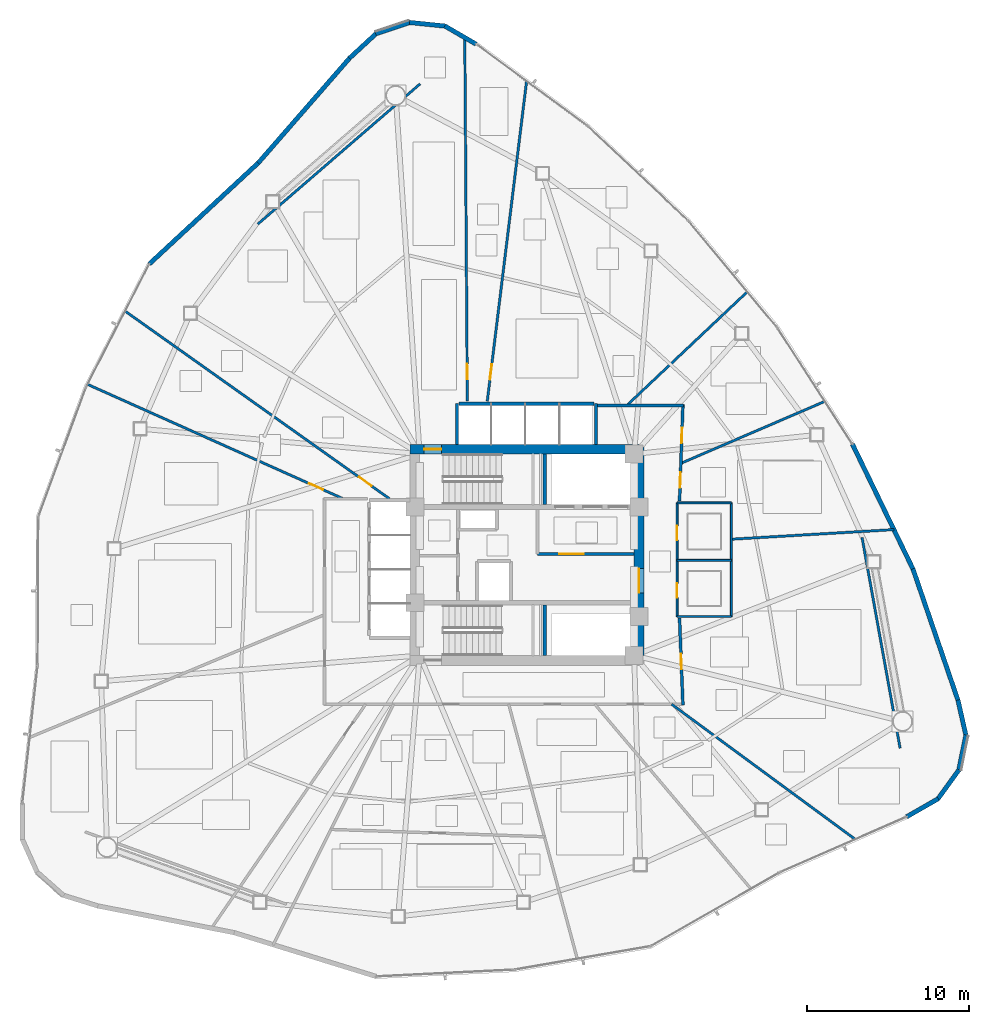
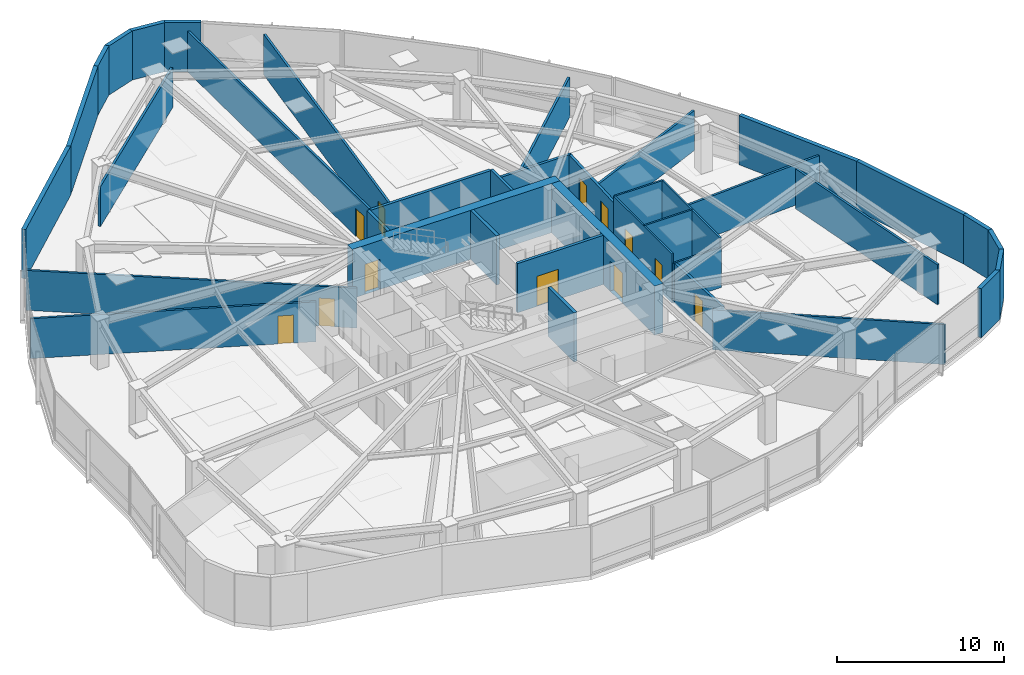
# One storey, part 13 of 18: 38 walls, 12 doors, 12 openings.
"""IFC4 building model written with IfcOpenShell, lengths in metres."""

from ifc_helpers import new_model, si_unit, direction, frame, frame_2d, origin, place, context, subcontext, project, spatial, rectangle, extrude, material, layer, layer_set, type_object, element, fill, save


model = new_model("IFC4")

# Units and contexts
model_context = context("Model", 3, precision=1e-05, world=origin(), true_north=direction((0.0, 1.0)))
body_context = subcontext(model_context, "Body", "Model", "MODEL_VIEW")
ifc_project = project(units=[si_unit("LENGTHUNIT", "METRE"), si_unit("AREAUNIT", "SQUARE_METRE"), si_unit("VOLUMEUNIT", "CUBIC_METRE"), si_unit("PLANEANGLEUNIT", "RADIAN"), si_unit("MASSUNIT", "GRAM", prefix="KILO")], contexts=[model_context])

# Site, building, storey
site_placement = place(None, origin())
site = spatial("IfcSite", under=ifc_project, at=site_placement, CompositionType="ELEMENT")
building_placement = place(site_placement, origin())
building = spatial("IfcBuilding", under=site, at=building_placement, Name="Tavelor Broadcast Tower", CompositionType="ELEMENT")
storey_placement = place(building_placement, frame((0.0, 0.0, 51.0)))
storey = spatial("IfcBuildingStorey", under=building, at=storey_placement, Name="L11", CompositionType="ELEMENT", Elevation=51.0)

# Wall, opening, door
ifc_material_1 = material(Name="Concrete C60/75", Category="concrete")
ifc_layer_1 = layer(ifc_material_1, 0.60009765625)
ifc_layer_set_1 = layer_set([ifc_layer_1], Name="Concrete C60/75")
wall_type_1 = type_object("IfcWallType", Name="Core Shear Wall 600 mm", PredefinedType="SHEAR", material=ifc_layer_set_1)
wall_1_placement = place(storey_placement, frame((42.800048828125, 51.5, 0.0), z_axis=(0.0, 0.0, 1.0), x_axis=(1.0, 0.0, 0.0)))
wall_1 = element("IfcWall", 1, at=wall_1_placement, inside=storey, type_object=wall_type_1, Name="L11 Central Core Shear Wall N", PredefinedType="SHEAR", context=body_context, shape_type="SweptSolid", body=[
    extrude(rectangle(XDim=14.39990234375, YDim=0.60009765625, at=frame_2d((7.199951171875, 0.0))), origin(), (0.0, 0.0, 1.0), 3.60009765625),
])
opening_1_placement = place(wall_1_placement, frame((0.8798828125, 0.0, 0.0)))
opening_1 = element("IfcOpeningElement", 2, at=opening_1_placement, cuts=wall_1, Name="Opening DR11", PredefinedType="OPENING", context=body_context, shape_type="SweptSolid", body=[
    extrude(rectangle(XDim=1.050048828125, YDim=2.199951171875, at=frame_2d((0.52490234375, 1.10009765625))), frame((0.0, 0.31005859375, 0.0), z_axis=(0.0, -1.0, 0.0), x_axis=(1.0, 0.0, 0.0)), (0.0, 0.0, 1.0), 0.6201171875),
])
ifc_material_2 = material(Name="Steel S355", Category="steel")
door_type_1 = type_object("IfcDoorType", Name="Stair Core Fire Escape Door 1050x2200", OperationType="NOTDEFINED", PredefinedType="DOOR", material=ifc_material_2)
door_1_placement = place(opening_1_placement, origin())
door_1 = element("IfcDoor", 3, at=door_1_placement, inside=storey, type_object=door_type_1, Name="L11 Stair ST1 Protected Exit Door", OperationType="SINGLE_SWING_LEFT", OverallHeight=2.199951171875, OverallWidth=1.050048828125, PredefinedType="DOOR", context=body_context, shape_type="SweptSolid", body=[
    extrude(rectangle(XDim=1.050048828125, YDim=2.199951171875, at=frame_2d((0.52490234375, 1.10009765625))), frame((0.0, 0.02490234375, 0.0), z_axis=(0.0, -1.0, 0.0), x_axis=(1.0, 0.0, 0.0)), (0.0, 0.0, 1.0), 0.050048828125),
])
fill(opening_1, door_1)

wall_2_placement = place(storey_placement, frame((56.89990234375, 38.800048828125, 0.0), z_axis=(0.0, 0.0, 1.0), x_axis=(0.0, 1.0, 0.0)))
wall_2 = element("IfcWall", 4, at=wall_2_placement, inside=storey, type_object=wall_type_1, Name="L11 Central Core Shear Wall E", PredefinedType="SHEAR", context=body_context, shape_type="SweptSolid", body=[
    extrude(rectangle(XDim=12.39990234375, YDim=0.60009765625, at=frame_2d((6.199951171875, 0.0))), origin(), (0.0, 0.0, 1.0), 3.60009765625),
])
opening_2_placement = place(wall_2_placement, frame((3.85009765625, 0.0, 0.0)))
opening_2 = element("IfcOpeningElement", 5, at=opening_2_placement, cuts=wall_2, Name="Opening DR14", PredefinedType="OPENING", context=body_context, shape_type="SweptSolid", body=[
    extrude(rectangle(XDim=1.5, YDim=2.199951171875, at=frame_2d((0.75, 1.10009765625))), frame((0.0, 0.31005859375, 0.0), z_axis=(0.0, -1.0, 0.0), x_axis=(1.0, 0.0, 0.0)), (0.0, 0.0, 1.0), 0.6201171875),
])
door_type_2 = type_object("IfcDoorType", Name="Firefighting Lobby Double Fire Door 1500x2200", OperationType="NOTDEFINED", PredefinedType="DOOR", material=ifc_material_2)
door_2_placement = place(opening_2_placement, origin())
door_2 = element("IfcDoor", 6, at=door_2_placement, inside=storey, type_object=door_type_2, Name="L11 Central Core Lobby Fire Door", OperationType="SINGLE_SWING_RIGHT", OverallHeight=2.199951171875, OverallWidth=1.5, PredefinedType="DOOR", context=body_context, shape_type="SweptSolid", body=[
    extrude(rectangle(XDim=1.5, YDim=2.199951171875, at=frame_2d((0.75, 1.10009765625))), frame((0.0, 0.02490234375, 0.0), z_axis=(0.0, -1.0, 0.0), x_axis=(1.0, 0.0, 0.0)), (0.0, 0.0, 1.0), 0.050048828125),
])
fill(opening_2, door_2)

# Wall
ifc_material_3 = material(Name="Calcium Silicate Fire Board 180 mm", Category="gypsum")
ifc_layer_2 = layer(ifc_material_3, 0.179931640625)
ifc_layer_set_2 = layer_set([ifc_layer_2], Name="Calcium Silicate Fire Board 180 mm")
wall_type_2 = type_object("IfcWallType", Name="Fire-Rated Corridor Partition Wall 180 mm", PredefinedType="PARTITIONING", material=ifc_layer_set_2)
wall_3_placement = place(storey_placement, frame((54.300048828125, 54.199951171875, 0.0), z_axis=(0.0, 0.0, 1.0), x_axis=(1.0, 0.0, 0.0)))
element("IfcWall", 7, at=wall_3_placement, inside=storey, type_object=wall_type_2, Name="L11 Corridor Compartment Wall 01", PredefinedType="PARTITIONING", context=body_context, shape_type="SweptSolid", body=[
    extrude(rectangle(XDim=5.349853515625, YDim=0.179931640625, at=frame_2d((2.6748046875, 0.0))), origin(), (0.0, 0.0, 1.0), 2.925048828125),
])

# Wall, openings, doors
wall_4_placement = place(storey_placement, frame((59.601806640625, 54.25, 0.0), z_axis=(0.0, 0.0, 1.0), x_axis=(-0.035265891834, -0.999377964973, 0.0)))
wall_4 = element("IfcWall", 8, at=wall_4_placement, inside=storey, type_object=wall_type_2, Name="L11 Corridor Compartment Wall 02", PredefinedType="PARTITIONING", context=body_context, shape_type="SweptSolid", body=[
    extrude(rectangle(XDim=5.95361328125, YDim=0.179931640625, at=frame_2d((2.976806640625, 0.0))), origin(), (0.0, 0.0, 1.0), 2.925048828125),
])
opening_3_placement = place(wall_4_placement, frame((1.42578125, 0.0, 0.0)))
opening_3 = element("IfcOpeningElement", 9, at=opening_3_placement, cuts=wall_4, Name="Opening DR18", PredefinedType="OPENING", context=body_context, shape_type="SweptSolid", body=[
    extrude(rectangle(XDim=0.949951171875, YDim=2.050048828125, at=frame_2d((0.47509765625, 1.02490234375))), frame((0.0, 0.10009765625, 0.0), z_axis=(0.0, -1.0, 0.0), x_axis=(1.0, 0.0, 0.0)), (0.0, 0.0, 1.0), 0.199951171875),
])
opening_4_placement = place(wall_4_placement, frame((4.176025390625, 0.0, 0.0)))
opening_4 = element("IfcOpeningElement", 10, at=opening_4_placement, cuts=wall_4, Name="Opening DR18", PredefinedType="OPENING", context=body_context, shape_type="SweptSolid", body=[
    extrude(rectangle(XDim=0.949951171875, YDim=2.050048828125, at=frame_2d((0.47509765625, 1.02490234375))), frame((0.0, 0.10009765625, 0.0), z_axis=(0.0, -1.0, 0.0), x_axis=(1.0, 0.0, 0.0)), (0.0, 0.0, 1.0), 0.199951171875),
])
ifc_material_4 = material(Name="Timber Solid Core Hardwood", Category="wood")
door_type_3 = type_object("IfcDoorType", Name="Corridor Rated Compartment Door 950x2050", OperationType="NOTDEFINED", PredefinedType="DOOR", material=ifc_material_4)
door_3_placement = place(opening_3_placement, origin())
door_3 = element("IfcDoor", 11, at=door_3_placement, inside=storey, type_object=door_type_3, Name="L11 Talent Concierge Desk Door R8", OperationType="SINGLE_SWING_RIGHT", OverallHeight=2.050048828125, OverallWidth=0.949951171875, PredefinedType="DOOR", context=body_context, shape_type="SweptSolid", body=[
    extrude(rectangle(XDim=0.949951171875, YDim=2.050048828125, at=frame_2d((0.47509765625, 1.02490234375))), frame((0.0, 0.02490234375, 0.0), z_axis=(0.0, -1.0, 0.0), x_axis=(1.0, 0.0, 0.0)), (0.0, 0.0, 1.0), 0.050048828125),
])
fill(opening_3, door_3)
door_4_placement = place(opening_4_placement, origin())
door_4 = element("IfcDoor", 12, at=door_4_placement, inside=storey, type_object=door_type_3, Name="L11 Master Control Room Door R9", OperationType="SINGLE_SWING_LEFT", OverallHeight=2.050048828125, OverallWidth=0.949951171875, PredefinedType="DOOR", context=body_context, shape_type="SweptSolid", body=[
    extrude(rectangle(XDim=0.949951171875, YDim=2.050048828125, at=frame_2d((0.47509765625, 1.02490234375))), frame((0.0, 0.02490234375, 0.0), z_axis=(0.0, -1.0, 0.0), x_axis=(1.0, 0.0, 0.0)), (0.0, 0.0, 1.0), 0.050048828125),
])
fill(opening_4, door_4)

# Wall, opening, door
wall_5_placement = place(storey_placement, frame((59.39208984375, 41.10009765625, 0.0), z_axis=(0.0, 0.0, 1.0), x_axis=(0.03921413315, -0.999230830069, 0.0)))
wall_5 = element("IfcWall", 13, at=wall_5_placement, inside=storey, type_object=wall_type_2, Name="L11 Corridor Compartment Wall 03", PredefinedType="PARTITIONING", context=body_context, shape_type="SweptSolid", body=[
    extrude(rectangle(XDim=5.354248046875, YDim=0.179931640625, at=frame_2d((2.67724609375, 0.0))), origin(), (0.0, 0.0, 1.0), 2.925048828125),
])
opening_5_placement = place(wall_5_placement, frame((2.201904296875, 0.0, 0.0)))
opening_5 = element("IfcOpeningElement", 14, at=opening_5_placement, cuts=wall_5, Name="Opening DR18", PredefinedType="OPENING", context=body_context, shape_type="SweptSolid", body=[
    extrude(rectangle(XDim=0.949951171875, YDim=2.050048828125, at=frame_2d((0.47509765625, 1.02490234375))), frame((0.0, 0.10009765625, 0.0), z_axis=(0.0, -1.0, 0.0), x_axis=(1.0, 0.0, 0.0)), (0.0, 0.0, 1.0), 0.199951171875),
])
door_5_placement = place(opening_5_placement, origin())
door_5 = element("IfcDoor", 15, at=door_5_placement, inside=storey, type_object=door_type_3, Name="L11 Investigative News Desk Door R10", OperationType="SINGLE_SWING_RIGHT", OverallHeight=2.050048828125, OverallWidth=0.949951171875, PredefinedType="DOOR", context=body_context, shape_type="SweptSolid", body=[
    extrude(rectangle(XDim=0.949951171875, YDim=2.050048828125, at=frame_2d((0.47509765625, 1.02490234375))), frame((0.0, 0.02490234375, 0.0), z_axis=(0.0, -1.0, 0.0), x_axis=(1.0, 0.0, 0.0)), (0.0, 0.0, 1.0), 0.050048828125),
])
fill(opening_5, door_5)

# Walls
ifc_material_5 = material(Name="Precast Concrete C40/50", Category="concrete")
ifc_layer_3 = layer(ifc_material_5, 0.280029296875)
ifc_layer_set_3 = layer_set([ifc_layer_3], Name="Precast Concrete C40/50")
wall_type_3 = type_object("IfcWallType", Name="Insulated Precast Terracotta Facade Wall 280 mm", PredefinedType="STANDARD", material=ifc_layer_set_3)
wall_6_placement = place(storey_placement, frame((46.870849609375, 76.4296875, 0.0), z_axis=(0.0, 0.0, 1.0), x_axis=(-0.86470757028, 0.502275639366, 0.0)))
element("IfcWall", 16, at=wall_6_placement, inside=storey, type_object=wall_type_3, Name="L11 Rounded Corner Structural Cladding Pier 01", PredefinedType="STANDARD", context=body_context, shape_type="SweptSolid", body=[
    extrude(rectangle(XDim=2.2275390625, YDim=0.280029296875, at=frame_2d((1.11376953125, 0.0))), origin(), (0.0, 0.0, 1.0), 3.60009765625),
])
wall_7_placement = place(storey_placement, frame((44.972412109375, 77.539794921875, 0.0), z_axis=(0.0, 0.0, 1.0), x_axis=(-0.994794332276, 0.101903073904, 0.0)))
element("IfcWall", 17, at=wall_7_placement, inside=storey, type_object=wall_type_3, Name="L11 Rounded Corner Structural Cladding Pier 02", PredefinedType="STANDARD", context=body_context, shape_type="SweptSolid", body=[
    extrude(rectangle(XDim=2.216064453125, YDim=0.280029296875, at=frame_2d((1.10791015625, 0.0))), origin(), (0.0, 0.0, 1.0), 3.60009765625),
])
wall_8_placement = place(storey_placement, frame((42.797119140625, 77.768798828125, 0.0), z_axis=(0.0, 0.0, 1.0), x_axis=(-0.948595132525, -0.316492139791, 0.0)))
element("IfcWall", 18, at=wall_8_placement, inside=storey, type_object=wall_type_3, Name="L11 Rounded Corner Structural Cladding Pier 03", PredefinedType="STANDARD", context=body_context, shape_type="SweptSolid", body=[
    extrude(rectangle(XDim=2.21630859375, YDim=0.280029296875, at=frame_2d((1.108154296875, 0.0))), origin(), (0.0, 0.0, 1.0), 3.60009765625),
])
wall_9_placement = place(storey_placement, frame((40.72021484375, 77.082275390625, 0.0), z_axis=(0.0, 0.0, 1.0), x_axis=(-0.734368471989, -0.678751020145, 0.0)))
element("IfcWall", 19, at=wall_9_placement, inside=storey, type_object=wall_type_3, Name="L11 Rounded Corner Structural Cladding Pier 04", PredefinedType="STANDARD", context=body_context, shape_type="SweptSolid", body=[
    extrude(rectangle(XDim=2.23876953125, YDim=0.280029296875, at=frame_2d((1.119384765625, 0.0))), origin(), (0.0, 0.0, 1.0), 3.60009765625),
])
wall_10_placement = place(storey_placement, frame((39.096923828125, 75.584228515625, 0.0), z_axis=(0.0, 0.0, 1.0), x_axis=(-0.657063068244, -0.753835608306, 0.0)))
element("IfcWall", 20, at=wall_10_placement, inside=storey, type_object=wall_type_3, Name="L11 Rounded Corner Structural Cladding Pier 05", PredefinedType="STANDARD", context=body_context, shape_type="SweptSolid", body=[
    extrude(rectangle(XDim=8.580078125, YDim=0.280029296875, at=frame_2d((4.2900390625, 0.0))), origin(), (0.0, 0.0, 1.0), 3.60009765625),
])
wall_11_placement = place(storey_placement, frame((33.480224609375, 69.1376953125, 0.0), z_axis=(0.0, 0.0, 1.0), x_axis=(-0.733106400335, -0.680113965294, 0.0)))
element("IfcWall", 21, at=wall_11_placement, inside=storey, type_object=wall_type_3, Name="L11 Rounded Corner Structural Cladding Pier 06", PredefinedType="STANDARD", context=body_context, shape_type="SweptSolid", body=[
    extrude(rectangle(XDim=9.168212890625, YDim=0.280029296875, at=frame_2d((4.583984375, 0.0))), origin(), (0.0, 0.0, 1.0), 3.60009765625),
])
wall_12_placement = place(storey_placement, frame((73.383544921875, 28.877197265625, 0.0), z_axis=(0.0, 0.0, 1.0), x_axis=(0.867338075625, 0.497719461717, 0.0)))
element("IfcWall", 22, at=wall_12_placement, inside=storey, type_object=wall_type_3, Name="L11 Rounded Corner Structural Cladding Pier 21", PredefinedType="STANDARD", context=body_context, shape_type="SweptSolid", body=[
    extrude(rectangle(XDim=2.22802734375, YDim=0.280029296875, at=frame_2d((1.114013671875, 0.0))), origin(), (0.0, 0.0, 1.0), 3.60009765625),
])
for number, where, z_axis, x_axis, name in (
    (23, (75.2939453125, 29.966552734375, 0.0), (0.0, 0.0, 1.0), (0.58567959745, 0.810542663363, 0.0), "L11 Rounded Corner Structural Cladding Pier 22"),
    (24, (76.580078125, 31.73583984375, 0.0), (0.0, 0.0, 1.0), (0.200182332939, 0.979758660885, 0.0), "L11 Rounded Corner Structural Cladding Pier 23"),
):
    element("IfcWall", number, at=place(storey_placement, frame(where, z_axis=z_axis, x_axis=x_axis)), inside=storey, type_object=wall_type_3, Name=name, PredefinedType="STANDARD", context=body_context, shape_type="SweptSolid", body=[
        extrude(rectangle(XDim=2.216064453125, YDim=0.280029296875, at=frame_2d((1.10791015625, 0.0))), origin(), (0.0, 0.0, 1.0), 3.60009765625),
    ])
wall_13_placement = place(storey_placement, frame((77.024169921875, 33.877685546875, 0.0), z_axis=(0.0, 0.0, 1.0), x_axis=(-0.220716047847, 0.975338108669, 0.0)))
element("IfcWall", 25, at=wall_13_placement, inside=storey, type_object=wall_type_3, Name="L11 Rounded Corner Structural Cladding Pier 24", PredefinedType="STANDARD", context=body_context, shape_type="SweptSolid", body=[
    extrude(rectangle(XDim=2.23876953125, YDim=0.280029296875, at=frame_2d((1.119384765625, 0.0))), origin(), (0.0, 0.0, 1.0), 3.60009765625),
])
wall_14_placement = place(storey_placement, frame((76.5380859375, 36.0322265625, 0.0), z_axis=(0.0, 0.0, 1.0), x_axis=(-0.324289341757, 0.945957939246, 0.0)))
element("IfcWall", 26, at=wall_14_placement, inside=storey, type_object=wall_type_3, Name="L11 Rounded Corner Structural Cladding Pier 25", PredefinedType="STANDARD", context=body_context, shape_type="SweptSolid", body=[
    extrude(rectangle(XDim=8.564453125, YDim=0.280029296875, at=frame_2d((4.2822265625, 0.0))), origin(), (0.0, 0.0, 1.0), 3.60009765625),
])
wall_15_placement = place(storey_placement, frame((73.772216796875, 44.106201171875, 0.0), z_axis=(0.0, 0.0, 1.0), x_axis=(-0.436413579007, 0.899746179796, 0.0)))
element("IfcWall", 27, at=wall_15_placement, inside=storey, type_object=wall_type_3, Name="L11 Rounded Corner Structural Cladding Pier 26", PredefinedType="STANDARD", context=body_context, shape_type="SweptSolid", body=[
    extrude(rectangle(XDim=8.552490234375, YDim=0.280029296875, at=frame_2d((4.2763671875, 0.0))), origin(), (0.0, 0.0, 1.0), 3.60009765625),
])
ifc_material_6 = material(Name="Gypsum Acoustic Plasterboard 150 mm", Category="gypsum")
ifc_layer_4 = layer(ifc_material_6, 0.14990234375)
ifc_layer_set_4 = layer_set([ifc_layer_4], Name="Gypsum Acoustic Plasterboard 150 mm")
wall_type_4 = type_object("IfcWallType", Name="Interior Acoustic Partition Wall 150 mm", PredefinedType="PARTITIONING", material=ifc_layer_set_4)
wall_16_placement = place(storey_placement, frame((43.42138671875, 73.9794921875, 0.0), z_axis=(0.0, 0.0, 1.0), x_axis=(-0.756659135409, -0.653809569218, 0.0)))
element("IfcWall", 28, at=wall_16_placement, inside=storey, type_object=wall_type_4, Name="L11 Corner Tube Brace Furring Wall 1", PredefinedType="PARTITIONING", context=body_context, shape_type="SweptSolid", body=[
    extrude(rectangle(XDim=13.200439453125, YDim=0.14990234375, at=frame_2d((6.60009765625, 0.0))), origin(), (0.0, 0.0, 1.0), 2.925048828125),
])
wall_17_placement = place(storey_placement, frame((72.96923828125, 33.09130859375, 0.0), z_axis=(0.0, 0.0, 1.0), x_axis=(-0.177742578179, 0.984077017261, 0.0)))
element("IfcWall", 29, at=wall_17_placement, inside=storey, type_object=wall_type_4, Name="L11 Corner Tube Brace Furring Wall 3", PredefinedType="PARTITIONING", context=body_context, shape_type="SweptSolid", body=[
    extrude(rectangle(XDim=13.179443359375, YDim=0.14990234375, at=frame_2d((6.58984375, 0.0))), origin(), (0.0, 0.0, 1.0), 2.925048828125),
])

# Wall, opening, door
wall_18_placement = place(storey_placement, frame((47.560302734375, 54.449951171875, 0.0), z_axis=(0.0, 0.0, 1.0), x_axis=(0.12187323667, 0.992545673601, 0.0)))
wall_18 = element("IfcWall", 30, at=wall_18_placement, inside=storey, type_object=wall_type_4, Name="L11 Radial Compartment Wall 01", PredefinedType="PARTITIONING", context=body_context, shape_type="SweptSolid", body=[
    extrude(rectangle(XDim=19.85400390625, YDim=0.14990234375, at=frame_2d((9.927001953125, 0.0))), origin(), (0.0, 0.0, 1.0), 2.97509765625),
])
opening_6_placement = place(wall_18_placement, frame((1.35009765625, 0.0, 0.0)))
opening_6 = element("IfcOpeningElement", 31, at=opening_6_placement, cuts=wall_18, Name="Opening DR18", PredefinedType="OPENING", context=body_context, shape_type="SweptSolid", body=[
    extrude(rectangle(XDim=0.949951171875, YDim=2.050048828125, at=frame_2d((0.47509765625, 1.02490234375))), frame((0.0, 0.0849609375, 0.0), z_axis=(0.0, -1.0, 0.0), x_axis=(1.0, 0.0, 0.0)), (0.0, 0.0, 1.0), 0.169921875),
])
door_6_placement = place(opening_6_placement, origin())
door_6 = element("IfcDoor", 32, at=door_6_placement, inside=storey, type_object=door_type_3, Name="L11 Suite Connecting Door 7", OperationType="SINGLE_SWING_RIGHT", OverallHeight=2.050048828125, OverallWidth=0.949951171875, PredefinedType="DOOR", context=body_context, shape_type="SweptSolid", body=[
    extrude(rectangle(XDim=0.949951171875, YDim=2.050048828125, at=frame_2d((0.47509765625, 1.02490234375))), frame((0.0, 0.02490234375, 0.0), z_axis=(0.0, -1.0, 0.0), x_axis=(1.0, 0.0, 0.0)), (0.0, 0.0, 1.0), 0.050048828125),
])
fill(opening_6, door_6)

wall_19_placement = place(storey_placement, frame((46.3330078125, 54.449951171875, 0.0), z_axis=(0.0, 0.0, 1.0), x_axis=(-0.007063802918, 0.999975051033, 0.0)))
wall_19 = element("IfcWall", 33, at=wall_19_placement, inside=storey, type_object=wall_type_4, Name="L11 Radial Compartment Wall 02", PredefinedType="PARTITIONING", context=body_context, shape_type="SweptSolid", body=[
    extrude(rectangle(XDim=22.396240234375, YDim=0.14990234375, at=frame_2d((11.1982421875, 0.0))), origin(), (0.0, 0.0, 1.0), 2.97509765625),
])
opening_7_placement = place(wall_19_placement, frame((1.35009765625, 0.0, 0.0)))
opening_7 = element("IfcOpeningElement", 34, at=opening_7_placement, cuts=wall_19, Name="Opening DR18", PredefinedType="OPENING", context=body_context, shape_type="SweptSolid", body=[
    extrude(rectangle(XDim=0.949951171875, YDim=2.050048828125, at=frame_2d((0.47509765625, 1.02490234375))), frame((0.0, 0.0849609375, 0.0), z_axis=(0.0, -1.0, 0.0), x_axis=(1.0, 0.0, 0.0)), (0.0, 0.0, 1.0), 0.169921875),
])
door_7_placement = place(opening_7_placement, origin())
door_7 = element("IfcDoor", 35, at=door_7_placement, inside=storey, type_object=door_type_3, Name="L11 Suite Connecting Door 6", OperationType="SINGLE_SWING_LEFT", OverallHeight=2.050048828125, OverallWidth=0.949951171875, PredefinedType="DOOR", context=body_context, shape_type="SweptSolid", body=[
    extrude(rectangle(XDim=0.949951171875, YDim=2.050048828125, at=frame_2d((0.47509765625, 1.02490234375))), frame((0.0, 0.02490234375, 0.0), z_axis=(0.0, -1.0, 0.0), x_axis=(1.0, 0.0, 0.0)), (0.0, 0.0, 1.0), 0.050048828125),
])
fill(opening_7, door_7)

wall_20_placement = place(storey_placement, frame((41.53857421875, 48.449951171875, 0.0), z_axis=(0.0, 0.0, 1.0), x_axis=(-0.81551552438, 0.578735198079, 0.0)))
wall_20 = element("IfcWall", 36, at=wall_20_placement, inside=storey, type_object=wall_type_4, Name="L11 Radial Compartment Wall 03", PredefinedType="PARTITIONING", context=body_context, shape_type="SweptSolid", body=[
    extrude(rectangle(XDim=19.960693359375, YDim=0.14990234375, at=frame_2d((9.98046875, 0.0))), origin(), (0.0, 0.0, 1.0), 2.925048828125),
])
opening_8_placement = place(wall_20_placement, frame((1.35009765625, 0.0, 0.0)))
opening_8 = element("IfcOpeningElement", 37, at=opening_8_placement, cuts=wall_20, Name="Opening DR18", PredefinedType="OPENING", context=body_context, shape_type="SweptSolid", body=[
    extrude(rectangle(XDim=0.949951171875, YDim=2.050048828125, at=frame_2d((0.47509765625, 1.02490234375))), frame((0.0, 0.0849609375, 0.0), z_axis=(0.0, -1.0, 0.0), x_axis=(1.0, 0.0, 0.0)), (0.0, 0.0, 1.0), 0.169921875),
])
door_8_placement = place(opening_8_placement, origin())
door_8 = element("IfcDoor", 38, at=door_8_placement, inside=storey, type_object=door_type_3, Name="L11 Suite Connecting Door 5", OperationType="SINGLE_SWING_RIGHT", OverallHeight=2.050048828125, OverallWidth=0.949951171875, PredefinedType="DOOR", context=body_context, shape_type="SweptSolid", body=[
    extrude(rectangle(XDim=0.949951171875, YDim=2.050048828125, at=frame_2d((0.47509765625, 1.02490234375))), frame((0.0, 0.02490234375, 0.0), z_axis=(0.0, -1.0, 0.0), x_axis=(1.0, 0.0, 0.0)), (0.0, 0.0, 1.0), 0.050048828125),
])
fill(opening_8, door_8)

wall_21_placement = place(storey_placement, frame((38.688232421875, 48.449951171875, 0.0), z_axis=(0.0, 0.0, 1.0), x_axis=(-0.912816446659, 0.408370095269, 0.0)))
wall_21 = element("IfcWall", 39, at=wall_21_placement, inside=storey, type_object=wall_type_4, Name="L11 Radial Compartment Wall 04", PredefinedType="PARTITIONING", context=body_context, shape_type="SweptSolid", body=[
    extrude(rectangle(XDim=17.24658203125, YDim=0.14990234375, at=frame_2d((8.623291015625, 0.0))), origin(), (0.0, 0.0, 1.0), 2.925048828125),
])
opening_9_placement = place(wall_21_placement, frame((1.35009765625, 0.0, 0.0)))
opening_9 = element("IfcOpeningElement", 40, at=opening_9_placement, cuts=wall_21, Name="Opening DR18", PredefinedType="OPENING", context=body_context, shape_type="SweptSolid", body=[
    extrude(rectangle(XDim=0.949951171875, YDim=2.050048828125, at=frame_2d((0.47509765625, 1.02490234375))), frame((0.0, 0.0849609375, 0.0), z_axis=(0.0, -1.0, 0.0), x_axis=(1.0, 0.0, 0.0)), (0.0, 0.0, 1.0), 0.169921875),
])
door_9_placement = place(opening_9_placement, origin())
door_9 = element("IfcDoor", 41, at=door_9_placement, inside=storey, type_object=door_type_3, Name="L11 Suite Connecting Door 4", OperationType="SINGLE_SWING_LEFT", OverallHeight=2.050048828125, OverallWidth=0.949951171875, PredefinedType="DOOR", context=body_context, shape_type="SweptSolid", body=[
    extrude(rectangle(XDim=0.949951171875, YDim=2.050048828125, at=frame_2d((0.47509765625, 1.02490234375))), frame((0.0, 0.02490234375, 0.0), z_axis=(0.0, -1.0, 0.0), x_axis=(1.0, 0.0, 0.0)), (0.0, 0.0, 1.0), 0.050048828125),
])
fill(opening_9, door_9)

# Walls
wall_22_placement = place(storey_placement, frame((58.906005859375, 35.800048828125, 0.0), z_axis=(0.0, 0.0, 1.0), x_axis=(0.805507004142, -0.592586252184, 0.0)))
element("IfcWall", 42, at=wall_22_placement, inside=storey, type_object=wall_type_4, Name="L11 Radial Compartment Wall 10", PredefinedType="PARTITIONING", context=body_context, shape_type="SweptSolid", body=[
    extrude(rectangle(XDim=14.042724609375, YDim=0.14990234375, at=frame_2d((7.021484375, 0.0))), origin(), (0.0, 0.0, 1.0), 2.925048828125),
])
wall_23_placement = place(storey_placement, frame((62.64990234375, 45.9609375, 0.0), z_axis=(0.0, 0.0, 1.0), x_axis=(0.99825565381, 0.059039390554, 0.0)))
element("IfcWall", 43, at=wall_23_placement, inside=storey, type_object=wall_type_4, Name="L11 Radial Compartment Wall 11", PredefinedType="PARTITIONING", context=body_context, shape_type="SweptSolid", body=[
    extrude(rectangle(XDim=9.9658203125, YDim=0.14990234375, at=frame_2d((4.98291015625, 0.0))), origin(), (0.0, 0.0, 1.0), 2.97509765625),
])
wall_24_placement = place(storey_placement, frame((59.473876953125, 50.626953125, 0.0), z_axis=(0.0, 0.0, 1.0), x_axis=(0.918538605695, 0.395331291259, 0.0)))
element("IfcWall", 44, at=wall_24_placement, inside=storey, type_object=wall_type_4, Name="L11 Radial Compartment Wall 12", PredefinedType="PARTITIONING", context=body_context, shape_type="SweptSolid", body=[
    extrude(rectangle(XDim=9.65869140625, YDim=0.14990234375, at=frame_2d((4.829345703125, 0.0))), origin(), (0.0, 0.0, 1.0), 2.925048828125),
])
wall_25_placement = place(storey_placement, frame((56.156494140625, 54.199951171875, 0.0), z_axis=(0.0, 0.0, 1.0), x_axis=(0.727548772569, 0.686055962392, 0.0)))
element("IfcWall", 45, at=wall_25_placement, inside=storey, type_object=wall_type_4, Name="L11 Radial Compartment Wall 13", PredefinedType="PARTITIONING", context=body_context, shape_type="SweptSolid", body=[
    extrude(rectangle(XDim=10.19677734375, YDim=0.14990234375, at=frame_2d((5.098388671875, 0.0))), origin(), (0.0, 0.0, 1.0), 2.925048828125),
])
ifc_material_7 = material(Name="Concrete Blockwork 200 mm", Category="masonry")
ifc_layer_5 = layer(ifc_material_7, 0.199951171875)
ifc_layer_set_5 = layer_set([ifc_layer_5], Name="Concrete Blockwork 200 mm")
wall_type_5 = type_object("IfcWallType", Name="Lift Hoistway Rated Front Wall 200 mm", PredefinedType="PARTITIONING", material=ifc_layer_set_5)
wall_26_placement = place(storey_placement, frame((45.820068359375, 54.300048828125, 0.0), z_axis=(0.0, 0.0, 1.0), x_axis=(1.0, 0.0, 0.0)))
element("IfcWall", 46, at=wall_26_placement, inside=storey, type_object=wall_type_5, Name="L11 High-Rise Lift Hoistway Front Wall", PredefinedType="PARTITIONING", context=body_context, shape_type="SweptSolid", body=[
    extrude(rectangle(XDim=8.309814453125, YDim=0.199951171875, at=frame_2d((4.15478515625, 0.0))), origin(), (0.0, 0.0, 1.0), 3.60009765625),
])
ifc_layer_6 = layer(ifc_material_7, 0.199951171875)
ifc_layer_set_6 = layer_set([ifc_layer_6], Name="Concrete Blockwork 200 mm")
wall_type_6 = type_object("IfcWallType", Name="Lift and Riser Shaft Enclosure Wall 200 mm", PredefinedType="PARTITIONING", material=ifc_layer_set_6)
for number, where, z_axis, x_axis, name in (
    (47, (45.699951171875, 51.800048828125, 0.0), (0.0, 0.0, 1.0), (0.0, 1.0, 0.0), "L11 High-Rise Lift Shaft West Wall"),
    (48, (54.25, 51.800048828125, 0.0), (0.0, 0.0, 1.0), (0.0, 1.0, 0.0), "L11 High-Rise Lift Shaft East Wall"),
):
    element("IfcWall", number, at=place(storey_placement, frame(where, z_axis=z_axis, x_axis=x_axis)), inside=storey, type_object=wall_type_6, Name=name, PredefinedType="PARTITIONING", context=body_context, shape_type="SweptSolid", body=[
        extrude(rectangle(XDim=2.5, YDim=0.199951171875, at=frame_2d((1.25, 0.0))), origin(), (0.0, 0.0, 1.0), 3.60009765625),
    ])

# Wall, opening, door
wall_27_placement = place(storey_placement, frame((50.64990234375, 45.050048828125, 0.0), z_axis=(0.0, 0.0, 1.0), x_axis=(1.0, 0.0, 0.0)))
wall_27 = element("IfcWall", 49, at=wall_27_placement, inside=storey, type_object=wall_type_6, Name="L11 Firefighting Lobby South Wall", PredefinedType="PARTITIONING", context=body_context, shape_type="SweptSolid", body=[
    extrude(rectangle(XDim=5.9501953125, YDim=0.199951171875, at=frame_2d((2.97509765625, 0.0))), origin(), (0.0, 0.0, 1.0), 3.60009765625),
])
opening_10_placement = place(wall_27_placement, frame((1.35009765625, 0.0, 0.0)))
opening_10 = element("IfcOpeningElement", 50, at=opening_10_placement, cuts=wall_27, Name="Opening DR14", PredefinedType="OPENING", context=body_context, shape_type="SweptSolid", body=[
    extrude(rectangle(XDim=1.5, YDim=2.199951171875, at=frame_2d((0.75, 1.10009765625))), frame((0.0, 0.10986328125, 0.0), z_axis=(0.0, -1.0, 0.0), x_axis=(1.0, 0.0, 0.0)), (0.0, 0.0, 1.0), 0.219970703125),
])
door_10_placement = place(opening_10_placement, origin())
door_10 = element("IfcDoor", 51, at=door_10_placement, inside=storey, type_object=door_type_2, Name="L11 Firefighting Lobby Compartment Door", OperationType="SINGLE_SWING_LEFT", OverallHeight=2.199951171875, OverallWidth=1.5, PredefinedType="DOOR", context=body_context, shape_type="SweptSolid", body=[
    extrude(rectangle(XDim=1.5, YDim=2.199951171875, at=frame_2d((0.75, 1.10009765625))), frame((0.0, 0.02490234375, 0.0), z_axis=(0.0, -1.0, 0.0), x_axis=(1.0, 0.0, 0.0)), (0.0, 0.0, 1.0), 0.050048828125),
])
fill(opening_10, door_10)

# Wall, openings, doors
ifc_material_8 = material(Name="Moisture-Resistant Plasterboard 120 mm", Category="gypsum")
ifc_layer_7 = layer(ifc_material_8, 0.1201171875)
ifc_layer_set_7 = layer_set([ifc_layer_7], Name="Moisture-Resistant Plasterboard 120 mm")
wall_type_7 = type_object("IfcWallType", Name="Moisture-Resistant Wet-Room Partition 120 mm", PredefinedType="PARTITIONING", material=ifc_layer_set_7)
wall_28_placement = place(storey_placement, frame((59.239990234375, 41.199951171875, 0.0), z_axis=(0.0, 0.0, 1.0), x_axis=(0.0, 1.0, 0.0)))
wall_28 = element("IfcWall", 52, at=wall_28_placement, inside=storey, type_object=wall_type_7, Name="L11 Floor Washrooms West Wall", PredefinedType="PARTITIONING", context=body_context, shape_type="SweptSolid", body=[
    extrude(rectangle(XDim=7.0, YDim=0.1201171875, at=frame_2d((3.5, 0.0))), origin(), (0.0, 0.0, 1.0), 3.60009765625),
])
opening_11_placement = place(wall_28_placement, frame((1.14990234375, 0.0, 0.0)))
opening_11 = element("IfcOpeningElement", 53, at=opening_11_placement, cuts=wall_28, Name="Opening DR32", PredefinedType="OPENING", context=body_context, shape_type="SweptSolid", body=[
    extrude(rectangle(XDim=0.89990234375, YDim=2.050048828125, at=frame_2d((0.449951171875, 1.02490234375))), frame((0.0, 0.070068359375, 0.0), z_axis=(0.0, -1.0, 0.0), x_axis=(1.0, 0.0, 0.0)), (0.0, 0.0, 1.0), 0.14013671875),
])
opening_12_placement = place(wall_28_placement, frame((4.699951171875, 0.0, 0.0)))
opening_12 = element("IfcOpeningElement", 54, at=opening_12_placement, cuts=wall_28, Name="Opening DR32", PredefinedType="OPENING", context=body_context, shape_type="SweptSolid", body=[
    extrude(rectangle(XDim=0.89990234375, YDim=2.050048828125, at=frame_2d((0.449951171875, 1.02490234375))), frame((0.0, 0.070068359375, 0.0), z_axis=(0.0, -1.0, 0.0), x_axis=(1.0, 0.0, 0.0)), (0.0, 0.0, 1.0), 0.14013671875),
])
door_type_4 = type_object("IfcDoorType", Name="Accessible Washroom Door 900x2050", OperationType="NOTDEFINED", PredefinedType="DOOR", material=ifc_material_4)
door_11_placement = place(opening_11_placement, origin())
door_11 = element("IfcDoor", 55, at=door_11_placement, inside=storey, type_object=door_type_4, Name="L11 Accessible WC Door", OperationType="SINGLE_SWING_LEFT", OverallHeight=2.050048828125, OverallWidth=0.89990234375, PredefinedType="DOOR", context=body_context, shape_type="SweptSolid", body=[
    extrude(rectangle(XDim=0.89990234375, YDim=2.050048828125, at=frame_2d((0.449951171875, 1.02490234375))), frame((0.0, 0.02490234375, 0.0), z_axis=(0.0, -1.0, 0.0), x_axis=(1.0, 0.0, 0.0)), (0.0, 0.0, 1.0), 0.050048828125),
])
fill(opening_11, door_11)
door_12_placement = place(opening_12_placement, origin())
door_12 = element("IfcDoor", 56, at=door_12_placement, inside=storey, type_object=door_type_4, Name="L11 Staff Washroom WC Door", OperationType="SINGLE_SWING_RIGHT", OverallHeight=2.050048828125, OverallWidth=0.89990234375, PredefinedType="DOOR", context=body_context, shape_type="SweptSolid", body=[
    extrude(rectangle(XDim=0.89990234375, YDim=2.050048828125, at=frame_2d((0.449951171875, 1.02490234375))), frame((0.0, 0.02490234375, 0.0), z_axis=(0.0, -1.0, 0.0), x_axis=(1.0, 0.0, 0.0)), (0.0, 0.0, 1.0), 0.050048828125),
])
fill(opening_12, door_12)

# Walls
wall_29_placement = place(storey_placement, frame((59.239990234375, 41.199951171875, 0.0), z_axis=(0.0, 0.0, 1.0), x_axis=(1.0, 0.0, 0.0)))
element("IfcWall", 57, at=wall_29_placement, inside=storey, type_object=wall_type_7, Name="L11 Floor Washrooms South Wall", PredefinedType="PARTITIONING", context=body_context, shape_type="SweptSolid", body=[
    extrude(rectangle(XDim=3.340087890625, YDim=0.1201171875, at=frame_2d((1.669921875, 0.0))), origin(), (0.0, 0.0, 1.0), 2.925048828125),
])
for number, where, z_axis, x_axis, name in (
    (58, (59.239990234375, 44.64990234375, 0.0), (0.0, 0.0, 1.0), (1.0, 0.0, 0.0), "L11 Floor Washrooms Divider Wall"),
    (59, (59.239990234375, 48.199951171875, 0.0), (0.0, 0.0, 1.0), (1.0, 0.0, 0.0), "L11 Floor Washrooms North Wall"),
):
    element("IfcWall", number, at=place(storey_placement, frame(where, z_axis=z_axis, x_axis=x_axis)), inside=storey, type_object=wall_type_7, Name=name, PredefinedType="PARTITIONING", context=body_context, shape_type="SweptSolid", body=[
        extrude(rectangle(XDim=3.340087890625, YDim=0.1201171875, at=frame_2d((1.669921875, 0.0))), origin(), (0.0, 0.0, 1.0), 3.60009765625),
    ])
wall_30_placement = place(storey_placement, frame((62.580078125, 41.199951171875, 0.0), z_axis=(0.0, 0.0, 1.0), x_axis=(0.0, 1.0, 0.0)))
element("IfcWall", 60, at=wall_30_placement, inside=storey, type_object=wall_type_7, Name="L11 Floor Washrooms East Wall", PredefinedType="PARTITIONING", context=body_context, shape_type="SweptSolid", body=[
    extrude(rectangle(XDim=7.0, YDim=0.1201171875, at=frame_2d((3.5, 0.0))), origin(), (0.0, 0.0, 1.0), 3.60009765625),
])
ifc_material_9 = material(Name="Concrete C40/50", Category="concrete")
ifc_layer_8 = layer(ifc_material_9, 0.219970703125)
ifc_layer_set_8 = layer_set([ifc_layer_8], Name="Concrete C40/50")
wall_type_8 = type_object("IfcWallType", Name="Structural Stairwell Shear Wall 220 mm", PredefinedType="SHEAR", material=ifc_layer_set_8)
for number, where, z_axis, x_axis, name in (
    (61, (51.110107421875, 48.10009765625, 0.0), (0.0, 0.0, 1.0), (0.0, 1.0, 0.0), "L11 Stair ST1 Structural Shaft Wall"),
    (62, (51.110107421875, 38.800048828125, 0.0), (0.0, 0.0, 1.0), (0.0, 1.0, 0.0), "L11 Stair ST2 Structural Shaft Wall"),
):
    element("IfcWall", number, at=place(storey_placement, frame(where, z_axis=z_axis, x_axis=x_axis)), inside=storey, type_object=wall_type_8, Name=name, PredefinedType="SHEAR", context=body_context, shape_type="SweptSolid", body=[
        extrude(rectangle(XDim=3.099853515625, YDim=0.219970703125, at=frame_2d((1.5498046875, 0.0))), origin(), (0.0, 0.0, 1.0), 3.60009765625),
    ])

save(model, "model.ifc")
